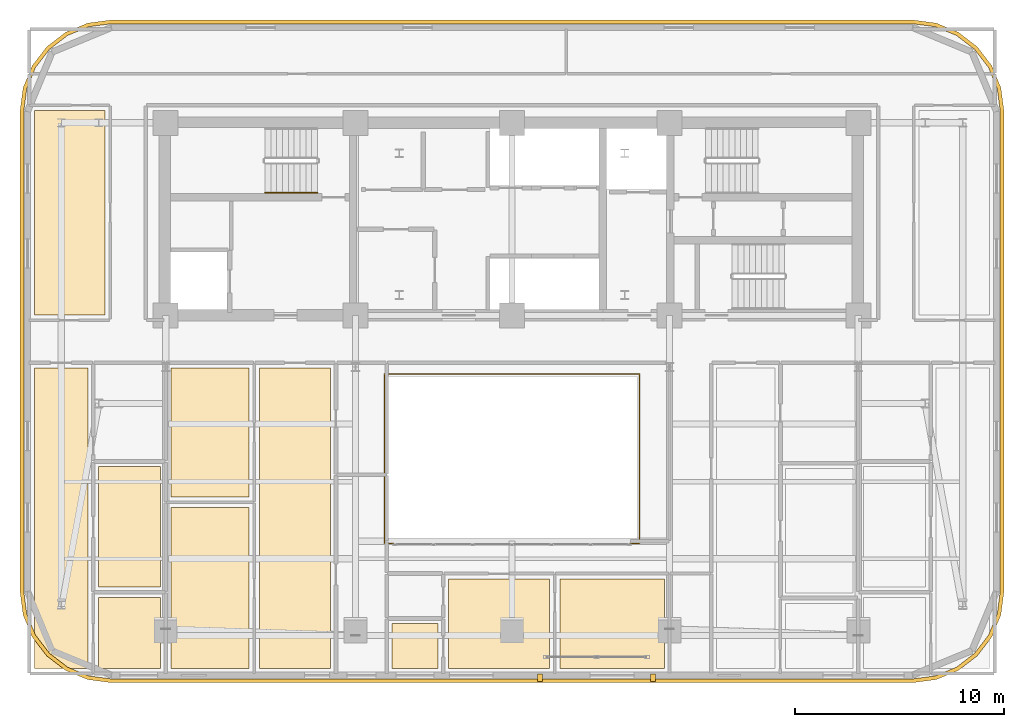
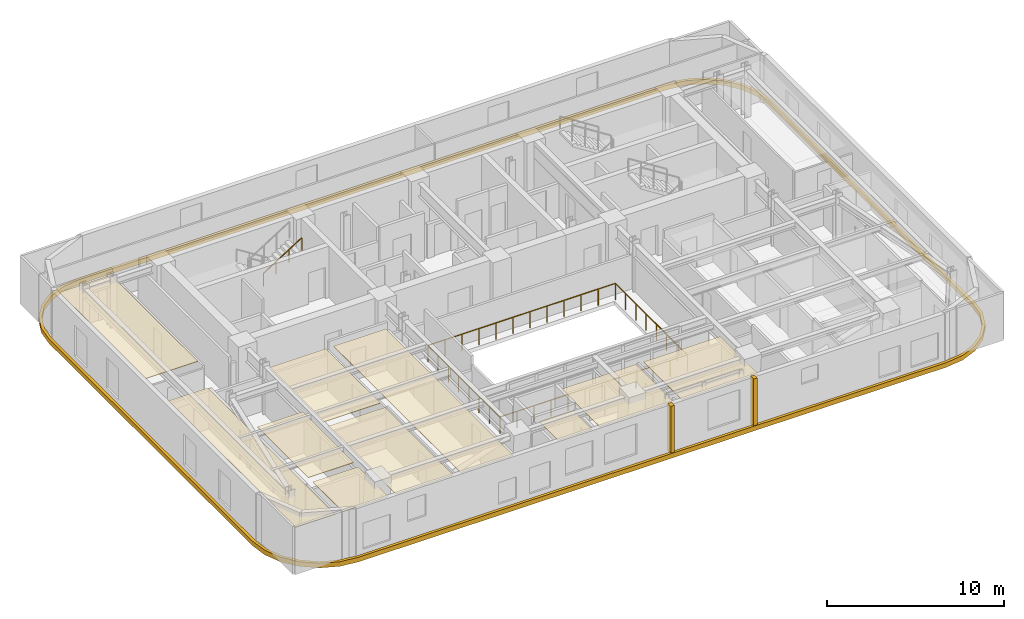
# One storey, part 11 of 13: 13 coverings, 2 railings.
"""IFC4 building model written with IfcOpenShell, lengths in metres."""

from ifc_helpers import new_model, si_unit, direction, frame, origin, origin_2d, place, context, subcontext, project, spatial, polyline, rectangle, outline, extrude, material, layer, layer_set, type_object, element, save


model = new_model("IFC4")

# Units and contexts
model_context = context("Model", 3, precision=1e-05, world=origin(), true_north=direction((0.0, 1.0)))
body_context = subcontext(model_context, "Body", "Model", "MODEL_VIEW")
ifc_project = project(units=[si_unit("LENGTHUNIT", "METRE"), si_unit("AREAUNIT", "SQUARE_METRE"), si_unit("VOLUMEUNIT", "CUBIC_METRE"), si_unit("PLANEANGLEUNIT", "RADIAN"), si_unit("MASSUNIT", "GRAM", prefix="KILO")], contexts=[model_context])

# Site, building, storey
site_placement = place(None, origin())
site = spatial("IfcSite", under=ifc_project, at=site_placement, CompositionType="ELEMENT")
building_placement = place(site_placement, origin())
building = spatial("IfcBuilding", under=site, at=building_placement, Name="Zarnavel Station Tower", CompositionType="ELEMENT")
storey_placement = place(building_placement, frame((0.0, 0.0, 148.35009765625)))
storey = spatial("IfcBuildingStorey", under=building, at=storey_placement, Name="L40", CompositionType="ELEMENT", Elevation=148.35009765625)

# Coverings
ifc_material_1 = material(Name="Perforated Gypsum and Mineral-Wool Acoustic Ceiling", Category="concrete")
ifc_layer = layer(ifc_material_1, 0.0400390625)
ifc_layer_set = layer_set([ifc_layer], Name="COV_CEIL_ACOUSTIC")
covering_type_1 = type_object("IfcCoveringType", Name="COV_CEIL_ACOUSTIC", PredefinedType="CEILING", material=ifc_layer_set)
covering_1_placement = place(storey_placement, frame((0.0, 0.0, 2.969970703125)))
element("IfcCovering", 1, at=covering_1_placement, inside=storey, type_object=covering_type_1, Name="L40 FNW Acoustic Ceiling", PredefinedType="CEILING", context=body_context, shape_type="SweptSolid", body=[
    extrude(outline(polyline([(5.909912109375, 27.85009765625), (9.300048828125, 27.85009765625), (9.300048828125, 37.64990234375), (5.909912109375, 37.64990234375), (5.909912109375, 27.85009765625)])), origin(), (0.0, 0.0, 1.0), 0.0400390625),
])
covering_2_placement = place(storey_placement, frame((0.0, 0.0, 2.969970703125)))
element("IfcCovering", 2, at=covering_2_placement, inside=storey, type_object=covering_type_1, Name="L40 UW1LV Acoustic Ceiling", PredefinedType="CEILING", context=body_context, shape_type="SweptSolid", body=[
    extrude(outline(polyline([(5.909912109375, 10.909912109375), (8.48388671875, 10.909912109375), (8.48388671875, 25.300048828125), (5.909912109375, 25.300048828125), (5.909912109375, 10.909912109375)])), origin(), (0.0, 0.0, 1.0), 0.0400390625),
])
covering_3_placement = place(storey_placement, frame((0.0, 0.0, 2.969970703125)))
element("IfcCovering", 3, at=covering_3_placement, inside=storey, type_object=covering_type_1, Name="L40 UW1B1 Acoustic Ceiling", PredefinedType="CEILING", context=body_context, shape_type="SweptSolid", body=[
    extrude(outline(polyline([(8.98388671875, 10.909912109375), (11.949951171875, 10.909912109375), (11.949951171875, 14.304931640625), (8.98388671875, 14.304931640625), (8.98388671875, 10.909912109375)])), origin(), (0.0, 0.0, 1.0), 0.0400390625),
])
covering_4_placement = place(storey_placement, frame((0.0, 0.0, 2.969970703125)))
element("IfcCovering", 4, at=covering_4_placement, inside=storey, type_object=covering_type_1, Name="L40 UW1KT Acoustic Ceiling", PredefinedType="CEILING", context=body_context, shape_type="SweptSolid", body=[
    extrude(outline(polyline([(8.98388671875, 14.804931640625), (11.949951171875, 14.804931640625), (11.949951171875, 20.572021484375), (8.98388671875, 20.572021484375), (8.98388671875, 14.804931640625)])), origin(), (0.0, 0.0, 1.0), 0.0400390625),
])
covering_5_placement = place(storey_placement, frame((0.0, 0.0, 2.969970703125)))
element("IfcCovering", 5, at=covering_5_placement, inside=storey, type_object=covering_type_1, Name="L40 UW2LV Acoustic Ceiling", PredefinedType="CEILING", context=body_context, shape_type="SweptSolid", body=[
    extrude(outline(polyline([(16.68994140625, 10.909912109375), (20.112060546875, 10.909912109375), (20.112060546875, 25.300048828125), (16.68994140625, 25.300048828125), (16.68994140625, 10.909912109375)])), origin(), (0.0, 0.0, 1.0), 0.0400390625),
])
covering_6_placement = place(storey_placement, frame((0.0, 0.0, 2.969970703125)))
element("IfcCovering", 6, at=covering_6_placement, inside=storey, type_object=covering_type_1, Name="L40 UW2B1 Acoustic Ceiling", PredefinedType="CEILING", context=body_context, shape_type="SweptSolid", body=[
    extrude(outline(polyline([(12.449951171875, 10.909912109375), (16.18994140625, 10.909912109375), (16.18994140625, 18.6201171875), (12.449951171875, 18.6201171875), (12.449951171875, 10.909912109375)])), origin(), (0.0, 0.0, 1.0), 0.0400390625),
])
covering_7_placement = place(storey_placement, frame((0.0, 0.0, 2.969970703125)))
element("IfcCovering", 7, at=covering_7_placement, inside=storey, type_object=covering_type_1, Name="L40 UW2B2 Acoustic Ceiling", PredefinedType="CEILING", context=body_context, shape_type="SweptSolid", body=[
    extrude(outline(polyline([(12.449951171875, 19.1201171875), (16.18994140625, 19.1201171875), (16.18994140625, 25.300048828125), (12.449951171875, 25.300048828125), (12.449951171875, 19.1201171875)])), origin(), (0.0, 0.0, 1.0), 0.0400390625),
])
covering_8_placement = place(storey_placement, frame((0.0, 0.0, 2.969970703125)))
element("IfcCovering", 8, at=covering_8_placement, inside=storey, type_object=covering_type_1, Name="L40 US1LV Acoustic Ceiling", PredefinedType="CEILING", context=body_context, shape_type="SweptSolid", body=[
    extrude(outline(polyline([(25.75, 10.909912109375), (30.60009765625, 10.909912109375), (30.60009765625, 15.199951171875), (25.75, 15.199951171875), (25.75, 10.909912109375)])), origin(), (0.0, 0.0, 1.0), 0.0400390625),
])
covering_9_placement = place(storey_placement, frame((0.0, 0.0, 2.969970703125)))
element("IfcCovering", 9, at=covering_9_placement, inside=storey, type_object=covering_type_1, Name="L40 US1KT Acoustic Ceiling", PredefinedType="CEILING", context=body_context, shape_type="SweptSolid", body=[
    extrude(outline(polyline([(23.050048828125, 10.909912109375), (25.25, 10.909912109375), (25.25, 13.050048828125), (23.050048828125, 13.050048828125), (23.050048828125, 10.909912109375)])), origin(), (0.0, 0.0, 1.0), 0.0400390625),
])
covering_10_placement = place(storey_placement, frame((0.0, 0.0, 2.969970703125)))
element("IfcCovering", 10, at=covering_10_placement, inside=storey, type_object=covering_type_1, Name="L40 US1B1 Acoustic Ceiling", PredefinedType="CEILING", context=body_context, shape_type="SweptSolid", body=[
    extrude(outline(polyline([(31.10009765625, 10.909912109375), (36.10009765625, 10.909912109375), (36.10009765625, 15.199951171875), (31.10009765625, 15.199951171875), (31.10009765625, 10.909912109375)])), origin(), (0.0, 0.0, 1.0), 0.0400390625),
])
ifc_material_2 = material(Name="Precast concrete C45/55 (Pale Travertine Slab Band)", Category="masonry")
covering_type_2 = type_object("IfcCoveringType", Name="COV_TRAVERTINE_BAND", PredefinedType="CLADDING", material=ifc_material_2)
covering_11_placement = place(storey_placement, frame((0.0, 0.0, -0.260009765625)))
element("IfcCovering", 11, at=covering_11_placement, inside=storey, type_object=covering_type_2, Name="L40 Pale Travertine Slab-Edge Band", PredefinedType="CLADDING", context=body_context, shape_type="SweptSolid", body=[
    extrude(outline(polyline([(48.0, 10.219970703125), (49.133544921875, 10.369140625), (50.18994140625, 10.806884765625), (51.09716796875, 11.5029296875), (51.793212890625, 12.409912109375), (52.230712890625, 13.46630859375), (52.3798828125, 14.60009765625), (52.3798828125, 37.60009765625), (52.230712890625, 38.733642578125), (51.793212890625, 39.7900390625), (51.09716796875, 40.697021484375), (50.18994140625, 41.393310546875), (49.133544921875, 41.830810546875), (48.0, 41.97998046875), (9.60009765625, 41.97998046875), (8.46630859375, 41.830810546875), (7.409912109375, 41.393310546875), (6.5029296875, 40.697021484375), (5.806884765625, 39.7900390625), (5.369140625, 38.733642578125), (5.219970703125, 37.60009765625), (5.219970703125, 14.60009765625), (5.369140625, 13.46630859375), (5.806884765625, 12.409912109375), (6.5029296875, 11.5029296875), (7.409912109375, 10.806884765625), (8.46630859375, 10.369140625), (9.60009765625, 10.219970703125), (48.0, 10.219970703125)]), holes=[polyline([(48.0, 10.39990234375), (49.0869140625, 10.543212890625), (50.10009765625, 10.962646484375), (50.9697265625, 11.630126953125), (51.63720703125, 12.5), (52.056884765625, 13.512939453125), (52.199951171875, 14.60009765625), (52.199951171875, 37.60009765625), (52.056884765625, 38.68701171875), (51.63720703125, 39.699951171875), (50.9697265625, 40.56982421875), (50.10009765625, 41.2373046875), (49.0869140625, 41.656982421875), (48.0, 41.800048828125), (9.60009765625, 41.800048828125), (8.512939453125, 41.656982421875), (7.5, 41.2373046875), (6.630126953125, 40.56982421875), (5.962646484375, 39.699951171875), (5.543212890625, 38.68701171875), (5.39990234375, 37.60009765625), (5.39990234375, 14.60009765625), (5.543212890625, 13.512939453125), (5.962646484375, 12.5), (6.630126953125, 11.630126953125), (7.5, 10.962646484375), (8.512939453125, 10.543212890625), (9.60009765625, 10.39990234375), (48.0, 10.39990234375)])]), origin(), (0.0, 0.0, 1.0), 0.31982421875),
])
for number, where, z_axis, x_axis, name in (
    (12, (30.14990234375, 10.449951171875, 0.0), (0.0, 0.0, 1.0), (1.0, 0.0, 0.0), "L40 Travertine Portal Loggia Vertical Jog West"),
    (13, (35.550048828125, 10.449951171875, 0.0), (0.0, 0.0, 1.0), (1.0, 0.0, 0.0), "L40 Travertine Portal Loggia Vertical Jog East"),
):
    element("IfcCovering", number, at=place(storey_placement, frame(where, z_axis=z_axis, x_axis=x_axis)), inside=storey, type_object=covering_type_2, Name=name, PredefinedType="CLADDING", context=body_context, shape_type="SweptSolid", body=[
        extrude(rectangle(XDim=0.239990234375, YDim=0.360107421875, at=origin_2d()), origin(), (0.0, 0.0, 1.0), 3.2900390625),
    ])

# Railings
ifc_material_3 = material(Name="Painted Steel S355J2 Balustrade", Category="steel")
railing_type_1 = type_object("IfcRailingType", Name="GR_INT_1150", PredefinedType="GUARDRAIL", material=ifc_material_3)
railing_1_placement = place(storey_placement, frame((22.679931640625, 16.8798828125, 0.0)))
element("IfcRailing", 14, at=railing_1_placement, inside=storey, type_object=railing_type_1, Name="L40 Atrium Void Guardrail", PredefinedType="GUARDRAIL", context=body_context, shape_type="SweptSolid", body=[
    extrude(rectangle(XDim=0.048095703125, YDim=0.048095703125, at=origin_2d()), frame((0.001953125, 0.0, 1.1259765625), z_axis=(1.0, 0.0, 0.0), x_axis=(0.0, 1.0, 0.0)), (0.0, 0.0, 1.0), 12.236083984375),
    extrude(rectangle(XDim=0.048095703125, YDim=0.048095703125, at=origin_2d()), frame((12.239990234375, 0.001953125, 1.1259765625), z_axis=(0.0, 1.0, 0.0), x_axis=(-1.0, 0.0, 0.0)), (0.0, 0.0, 1.0), 8.13623046875),
    extrude(rectangle(XDim=0.048095703125, YDim=0.048095703125, at=origin_2d()), frame((12.238037109375, 8.14013671875, 1.1259765625), z_axis=(-1.0, 0.0, 0.0), x_axis=(0.0, -1.0, 0.0)), (0.0, 0.0, 1.0), 12.236083984375),
    extrude(rectangle(XDim=0.048095703125, YDim=0.048095703125, at=origin_2d()), frame((0.0, 8.13818359375, 1.1259765625), z_axis=(0.0, -1.0, 0.0), x_axis=(1.0, 0.0, 0.0)), (0.0, 0.0, 1.0), 8.13623046875),
    extrude(rectangle(XDim=0.0419921875, YDim=0.0419921875, at=origin_2d()), origin(), (0.0, 0.0, 1.0), 1.101806640625),
    extrude(rectangle(XDim=0.0419921875, YDim=0.0419921875, at=origin_2d()), frame((1.11279296875, 0.0, 0.0)), (0.0, 0.0, 1.0), 1.101806640625),
    extrude(rectangle(XDim=0.0419921875, YDim=0.0419921875, at=origin_2d()), frame((2.225341796875, 0.0, 0.0)), (0.0, 0.0, 1.0), 1.101806640625),
    extrude(rectangle(XDim=0.0419921875, YDim=0.0419921875, at=origin_2d()), frame((3.338134765625, 0.0, 0.0)), (0.0, 0.0, 1.0), 1.101806640625),
    extrude(rectangle(XDim=0.0419921875, YDim=0.0419921875, at=origin_2d()), frame((4.450927734375, 0.0, 0.0)), (0.0, 0.0, 1.0), 1.101806640625),
    extrude(rectangle(XDim=0.0419921875, YDim=0.0419921875, at=origin_2d()), frame((5.563720703125, 0.0, 0.0)), (0.0, 0.0, 1.0), 1.101806640625),
    extrude(rectangle(XDim=0.0419921875, YDim=0.0419921875, at=origin_2d()), frame((6.67626953125, 0.0, 0.0)), (0.0, 0.0, 1.0), 1.101806640625),
    extrude(rectangle(XDim=0.0419921875, YDim=0.0419921875, at=origin_2d()), frame((7.7890625, 0.0, 0.0)), (0.0, 0.0, 1.0), 1.101806640625),
    extrude(rectangle(XDim=0.0419921875, YDim=0.0419921875, at=origin_2d()), frame((8.90185546875, 0.0, 0.0)), (0.0, 0.0, 1.0), 1.101806640625),
    extrude(rectangle(XDim=0.0419921875, YDim=0.0419921875, at=origin_2d()), frame((10.0146484375, 0.0, 0.0)), (0.0, 0.0, 1.0), 1.101806640625),
    extrude(rectangle(XDim=0.0419921875, YDim=0.0419921875, at=origin_2d()), frame((11.127197265625, 0.0, 0.0)), (0.0, 0.0, 1.0), 1.101806640625),
    extrude(rectangle(XDim=0.0419921875, YDim=0.0419921875, at=origin_2d()), frame((12.239990234375, 0.0, 0.0)), (0.0, 0.0, 1.0), 1.101806640625),
    extrude(rectangle(XDim=0.0419921875, YDim=0.0419921875, at=origin_2d()), frame((12.239990234375, 1.162841796875, 0.0)), (0.0, 0.0, 1.0), 1.101806640625),
    extrude(rectangle(XDim=0.0419921875, YDim=0.0419921875, at=origin_2d()), frame((12.239990234375, 2.32568359375, 0.0)), (0.0, 0.0, 1.0), 1.101806640625),
    extrude(rectangle(XDim=0.0419921875, YDim=0.0419921875, at=origin_2d()), frame((12.239990234375, 3.488525390625, 0.0)), (0.0, 0.0, 1.0), 1.101806640625),
    extrude(rectangle(XDim=0.0419921875, YDim=0.0419921875, at=origin_2d()), frame((12.239990234375, 4.651611328125, 0.0)), (0.0, 0.0, 1.0), 1.101806640625),
    extrude(rectangle(XDim=0.0419921875, YDim=0.0419921875, at=origin_2d()), frame((12.239990234375, 5.814453125, 0.0)), (0.0, 0.0, 1.0), 1.101806640625),
    extrude(rectangle(XDim=0.0419921875, YDim=0.0419921875, at=origin_2d()), frame((12.239990234375, 6.977294921875, 0.0)), (0.0, 0.0, 1.0), 1.101806640625),
    extrude(rectangle(XDim=0.0419921875, YDim=0.0419921875, at=origin_2d()), frame((12.239990234375, 8.14013671875, 0.0)), (0.0, 0.0, 1.0), 1.101806640625),
    extrude(rectangle(XDim=0.0419921875, YDim=0.0419921875, at=origin_2d()), frame((11.127197265625, 8.14013671875, 0.0)), (0.0, 0.0, 1.0), 1.101806640625),
    extrude(rectangle(XDim=0.0419921875, YDim=0.0419921875, at=origin_2d()), frame((10.0146484375, 8.14013671875, 0.0)), (0.0, 0.0, 1.0), 1.101806640625),
    extrude(rectangle(XDim=0.0419921875, YDim=0.0419921875, at=origin_2d()), frame((8.90185546875, 8.14013671875, 0.0)), (0.0, 0.0, 1.0), 1.101806640625),
    extrude(rectangle(XDim=0.0419921875, YDim=0.0419921875, at=origin_2d()), frame((7.7890625, 8.14013671875, 0.0)), (0.0, 0.0, 1.0), 1.101806640625),
    extrude(rectangle(XDim=0.0419921875, YDim=0.0419921875, at=origin_2d()), frame((6.67626953125, 8.14013671875, 0.0)), (0.0, 0.0, 1.0), 1.101806640625),
    extrude(rectangle(XDim=0.0419921875, YDim=0.0419921875, at=origin_2d()), frame((5.563720703125, 8.14013671875, 0.0)), (0.0, 0.0, 1.0), 1.101806640625),
    extrude(rectangle(XDim=0.0419921875, YDim=0.0419921875, at=origin_2d()), frame((4.450927734375, 8.14013671875, 0.0)), (0.0, 0.0, 1.0), 1.101806640625),
    extrude(rectangle(XDim=0.0419921875, YDim=0.0419921875, at=origin_2d()), frame((3.338134765625, 8.14013671875, 0.0)), (0.0, 0.0, 1.0), 1.101806640625),
    extrude(rectangle(XDim=0.0419921875, YDim=0.0419921875, at=origin_2d()), frame((2.225341796875, 8.14013671875, 0.0)), (0.0, 0.0, 1.0), 1.101806640625),
    extrude(rectangle(XDim=0.0419921875, YDim=0.0419921875, at=origin_2d()), frame((1.11279296875, 8.14013671875, 0.0)), (0.0, 0.0, 1.0), 1.101806640625),
    extrude(rectangle(XDim=0.0419921875, YDim=0.0419921875, at=origin_2d()), frame((0.0, 8.14013671875, 0.0)), (0.0, 0.0, 1.0), 1.101806640625),
    extrude(rectangle(XDim=0.0419921875, YDim=0.0419921875, at=origin_2d()), frame((0.0, 6.977294921875, 0.0)), (0.0, 0.0, 1.0), 1.101806640625),
    extrude(rectangle(XDim=0.0419921875, YDim=0.0419921875, at=origin_2d()), frame((0.0, 5.814453125, 0.0)), (0.0, 0.0, 1.0), 1.101806640625),
    extrude(rectangle(XDim=0.0419921875, YDim=0.0419921875, at=origin_2d()), frame((0.0, 4.651611328125, 0.0)), (0.0, 0.0, 1.0), 1.101806640625),
    extrude(rectangle(XDim=0.0419921875, YDim=0.0419921875, at=origin_2d()), frame((0.0, 3.488525390625, 0.0)), (0.0, 0.0, 1.0), 1.101806640625),
    extrude(rectangle(XDim=0.0419921875, YDim=0.0419921875, at=origin_2d()), frame((0.0, 2.32568359375, 0.0)), (0.0, 0.0, 1.0), 1.101806640625),
    extrude(rectangle(XDim=0.0419921875, YDim=0.0419921875, at=origin_2d()), frame((0.0, 1.162841796875, 0.0)), (0.0, 0.0, 1.0), 1.101806640625),
])
ifc_material_4 = material(Name="Brushed Stainless Steel S355J2 Handrail", Category="steel")
railing_type_2 = type_object("IfcRailingType", Name="HR_STAIR_900", PredefinedType="HANDRAIL", material=ifc_material_4)
railing_2_placement = place(storey_placement, frame((16.9599609375, 33.7099609375, 1.952392578125)))
element("IfcRailing", 15, at=railing_2_placement, inside=storey, type_object=railing_type_2, Name="L40 ST1 stair handrail 2", PredefinedType="HANDRAIL", context=body_context, shape_type="SweptSolid", body=[
    extrude(rectangle(XDim=0.048095703125, YDim=0.048095703125, at=origin_2d()), frame((0.001708984375, 0.0, 0.876953125), z_axis=(0.84460694969, 0.0, 0.535386869969), x_axis=(0.0, 1.0, 0.0)), (0.0, 0.0, 1.0), 2.979736328125),
    extrude(rectangle(XDim=0.0419921875, YDim=0.0419921875, at=origin_2d()), origin(), (0.0, 0.0, 1.0), 0.851806640625),
    extrude(rectangle(XDim=0.0419921875, YDim=0.0419921875, at=origin_2d()), frame((0.840087890625, 0.0, 0.532470703125)), (0.0, 0.0, 1.0), 0.851806640625),
    extrude(rectangle(XDim=0.0419921875, YDim=0.0419921875, at=origin_2d()), frame((1.679931640625, 0.0, 1.06494140625)), (0.0, 0.0, 1.0), 0.851806640625),
    extrude(rectangle(XDim=0.0419921875, YDim=0.0419921875, at=origin_2d()), frame((2.52001953125, 0.0, 1.597412109375)), (0.0, 0.0, 1.0), 0.851806640625),
])

save(model, "model.ifc")
